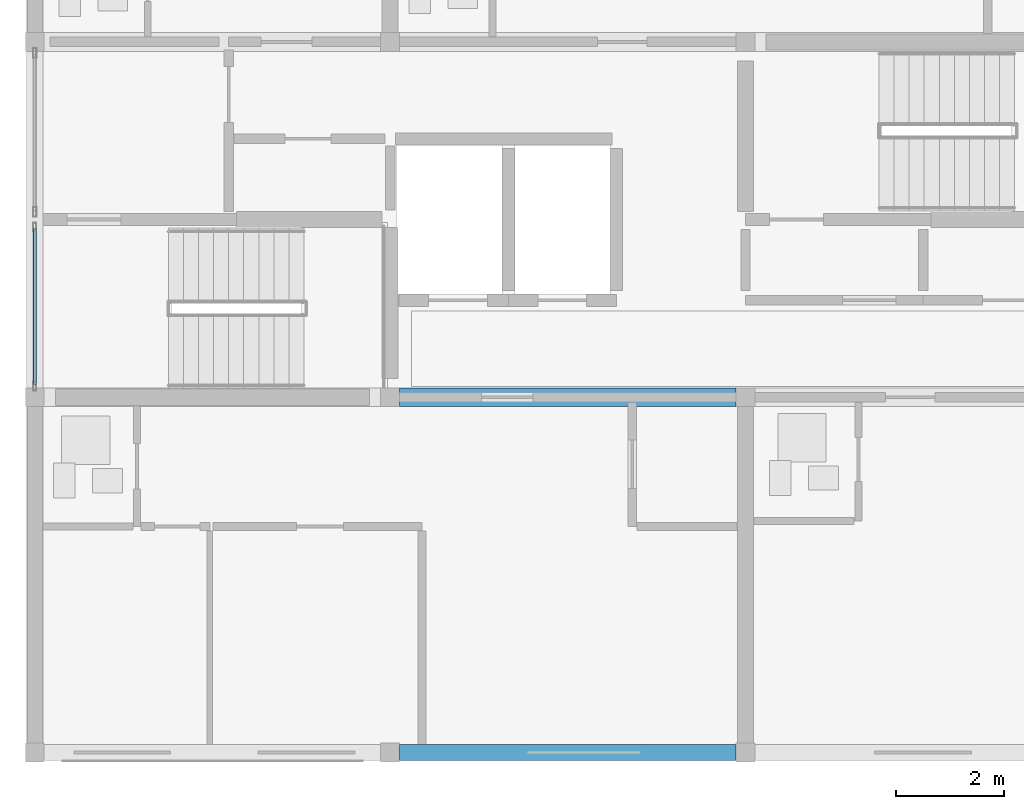
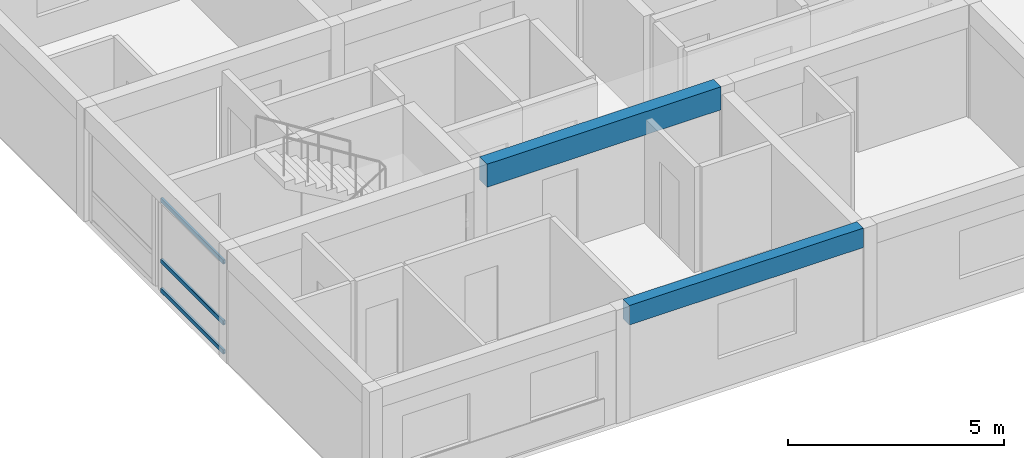
# One storey, part 5 of 46: 3 members, 2 beams, 1 element without a shape of its own.
"""IFC4 building model written with IfcOpenShell, lengths in metres."""

from ifc_helpers import new_model, si_unit, direction, frame, origin, origin_2d, place, context, subcontext, project, spatial, rectangle, hollow_rectangle, extrude, material, material_profile, profile_set, type_object, element, aggregate, save


model = new_model("IFC4")

# Units and contexts
model_context = context("Model", 3, precision=1e-05, world=origin(), true_north=direction((0.0, 1.0)))
body_context = subcontext(model_context, "Body", "Model", "MODEL_VIEW")
ifc_project = project(units=[si_unit("LENGTHUNIT", "METRE"), si_unit("AREAUNIT", "SQUARE_METRE"), si_unit("VOLUMEUNIT", "CUBIC_METRE"), si_unit("PLANEANGLEUNIT", "RADIAN"), si_unit("MASSUNIT", "GRAM", prefix="KILO")], contexts=[model_context])

# Site, building, storey
site_placement = place(None, origin())
site = spatial("IfcSite", under=ifc_project, at=site_placement, CompositionType="ELEMENT")
building_placement = place(site_placement, origin())
building = spatial("IfcBuilding", under=site, at=building_placement, Name="Kernevlak Ridge Housing Community", CompositionType="ELEMENT")
storey_placement = place(building_placement, frame((0.0, 0.0, 27.60009765625)))
storey = spatial("IfcBuildingStorey", under=building, at=storey_placement, Name="L08", CompositionType="ELEMENT", Elevation=27.60009765625)

# Beams
ifc_material_1 = material(Name="Concrete C35/45", Category="concrete")
ifc_material_profile_1 = material_profile(ifc_material_1, rectangle(XDim=0.35009765625, YDim=0.64990234375, at=origin_2d()), Name="RC 350x650")
ifc_profile_set_1 = profile_set([ifc_material_profile_1], Name="Concrete C35/45")
beam_type_1 = type_object("IfcBeamType", Name="B-02", PredefinedType="BEAM", material=ifc_profile_set_1)
beam_1_placement = place(storey_placement, frame((22.375, 22.199951171875, 2.875), z_axis=(1.0, 0.0, 0.0), x_axis=(0.0, 1.0, 0.0)))
element("IfcBeam", 1, at=beam_1_placement, inside=storey, type_object=beam_type_1, Name="Beam B-02 L08 1502", PredefinedType="BEAM", context=body_context, shape_type="SweptSolid", body=[
    extrude(rectangle(XDim=0.35009765625, YDim=0.64990234375, at=origin_2d()), origin(), (0.0, 0.0, 1.0), 6.25),
])
ifc_material_profile_2 = material_profile(ifc_material_1, rectangle(XDim=0.300048828125, YDim=0.550048828125, at=origin_2d()), Name="RC 300x550")
ifc_profile_set_2 = profile_set([ifc_material_profile_2], Name="Concrete C35/45")
beam_type_2 = type_object("IfcBeamType", Name="SP-01", PredefinedType="SPANDREL", material=ifc_profile_set_2)
beam_2_placement = place(storey_placement, frame((22.375, 15.60009765625, 2.9248046875), z_axis=(1.0, 0.0, 0.0), x_axis=(0.0, 1.0, 0.0)))
element("IfcBeam", 2, at=beam_2_placement, inside=storey, type_object=beam_type_2, Name="Beam SP-01 L08 1499", PredefinedType="SPANDREL", context=body_context, shape_type="SweptSolid", body=[
    extrude(rectangle(XDim=0.300048828125, YDim=0.550048828125, at=origin_2d()), origin(), (0.0, 0.0, 1.0), 6.25),
])

# Curtain wall, members
ifc_material_2 = material(Name="Aluminium EN AW-6060 anodised and laminated glass", Category="aluminium")
curtain_wall_type = type_object("IfcCurtainWallType", Name="CW-10", PredefinedType="NOTDEFINED", material=ifc_material_2)
curtain_wall_placement = place(storey_placement, origin())
curtain_wall = element("IfcCurtainWall", 3, at=curtain_wall_placement, inside=storey, type_object=curtain_wall_type, Name="Curtain wall CW-10 CW-L08-163", PredefinedType="NOTDEFINED")
ifc_material_3 = material(Name="Aluminium EN AW-6060 anodised", Category="aluminium")
ifc_material_profile_3 = material_profile(ifc_material_3, hollow_rectangle(XDim=0.06005859375, YDim=0.1201171875, WallThickness=0.00390625, InnerFilletRadius=0.001953125, OuterFilletRadius=0.00390625, at=origin_2d()), Name="ALU 60x120x4")
ifc_profile_set_3 = profile_set([ifc_material_profile_3], Name="Aluminium EN AW-6060 anodised")
member_type = type_object("IfcMemberType", Name="TM-02", PredefinedType="USERDEFINED", material=ifc_profile_set_3)
member_1_placement = place(storey_placement, frame((15.60009765625, 22.43505859375, 0.02978515625), z_axis=(0.0, 1.0, 0.0), x_axis=(-1.0, 0.0, 0.0)))
member_1 = element("IfcMember", 4, at=member_1_placement, type_object=member_type, Name="CW-10 transom 1.1", ObjectType="TRANSOM", PredefinedType="USERDEFINED", context=body_context, shape_type="SweptSolid", body=[
    extrude(hollow_rectangle(XDim=0.06005859375, YDim=0.1201171875, WallThickness=0.00390625, InnerFilletRadius=0.001953125, OuterFilletRadius=0.00390625, at=origin_2d()), origin(), (0.0, 0.0, 1.0), 2.89501953125),
])
member_2_placement = place(storey_placement, frame((15.60009765625, 22.43505859375, 0.849853515625), z_axis=(0.0, 1.0, 0.0), x_axis=(-1.0, 0.0, 0.0)))
member_2 = element("IfcMember", 5, at=member_2_placement, type_object=member_type, Name="CW-10 transom 1.2", ObjectType="TRANSOM", PredefinedType="USERDEFINED", context=body_context, shape_type="SweptSolid", body=[
    extrude(hollow_rectangle(XDim=0.06005859375, YDim=0.1201171875, WallThickness=0.00390625, InnerFilletRadius=0.001953125, OuterFilletRadius=0.00390625, at=origin_2d()), origin(), (0.0, 0.0, 1.0), 2.89501953125),
])
member_3_placement = place(storey_placement, frame((15.60009765625, 22.43505859375, 2.56982421875), z_axis=(0.0, 1.0, 0.0), x_axis=(-1.0, 0.0, 0.0)))
member_3 = element("IfcMember", 6, at=member_3_placement, type_object=member_type, Name="CW-10 transom 1.3", ObjectType="TRANSOM", PredefinedType="USERDEFINED", context=body_context, shape_type="SweptSolid", body=[
    extrude(hollow_rectangle(XDim=0.06005859375, YDim=0.1201171875, WallThickness=0.00390625, InnerFilletRadius=0.001953125, OuterFilletRadius=0.00390625, at=origin_2d()), origin(), (0.0, 0.0, 1.0), 2.89501953125),
])
aggregate(curtain_wall, [member_1, member_2, member_3])

save(model, "model.ifc")
